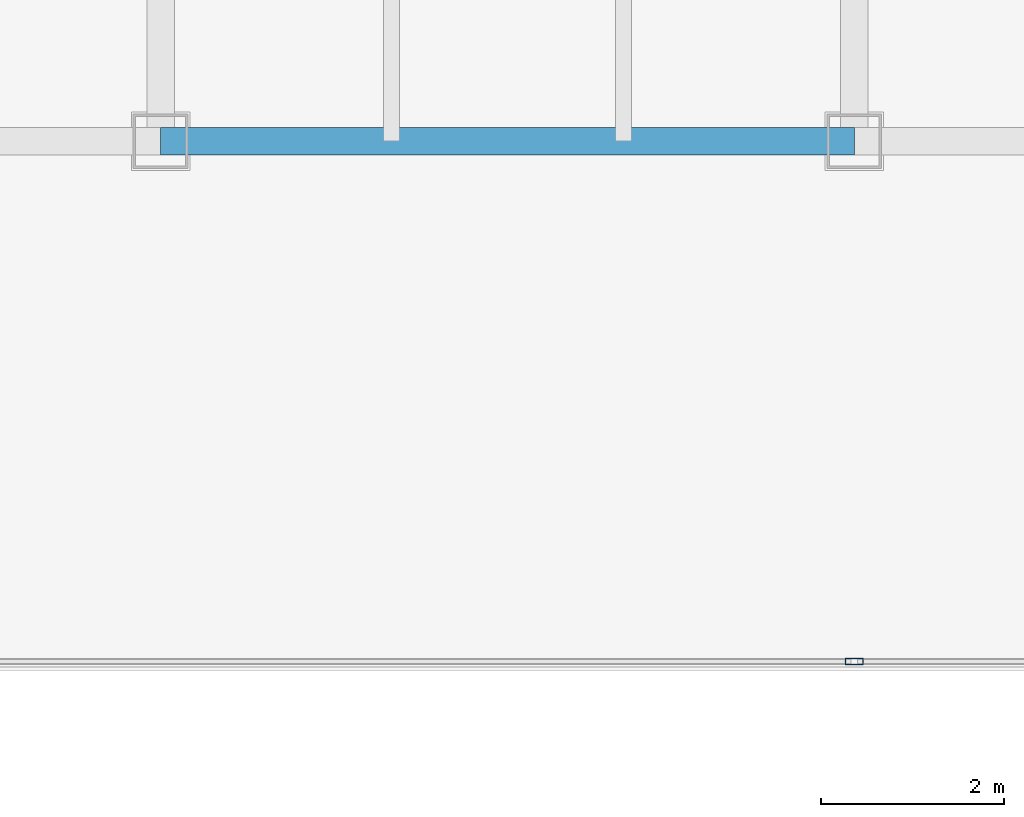
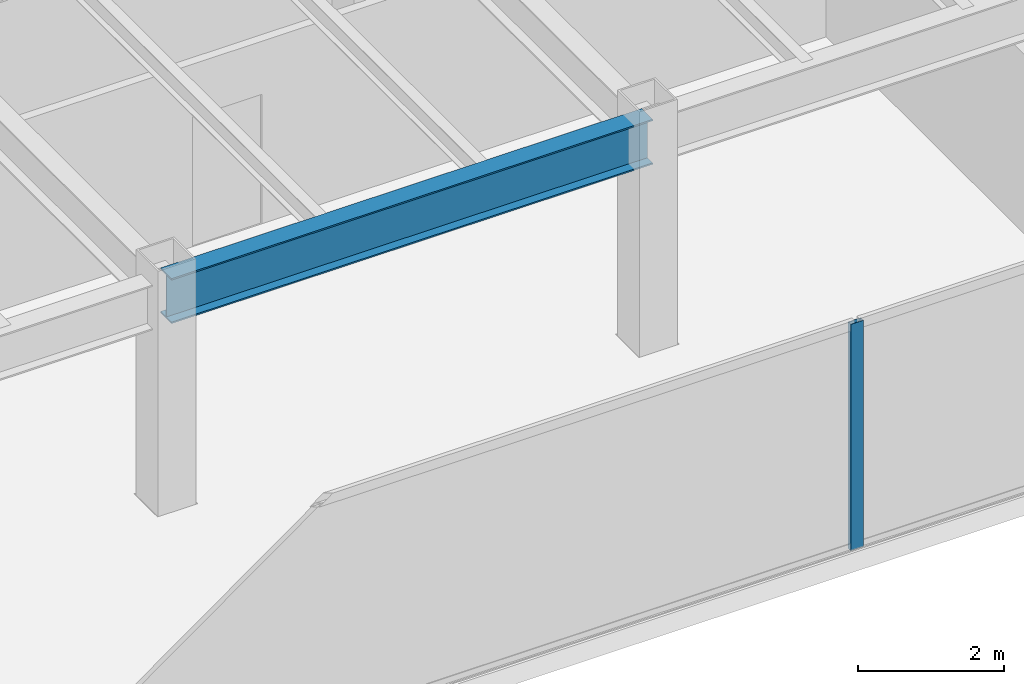
# One storey, part 8 of 36: 1 beam, 1 member, 1 element without a shape of its own.
"""IFC4 building model written with IfcOpenShell, lengths in metres."""

from ifc_helpers import new_model, si_unit, direction, frame, origin, origin_2d, place, context, subcontext, project, spatial, hollow_rectangle, i_section, extrude, source, transform, mapped, material, layer, layer_set, material_profile, profile_set, type_object, type_shapes, element, aggregate, save


model = new_model("IFC4")

# Units and contexts
model_context = context("Model", 3, precision=1e-05, world=origin(), true_north=direction((0.0, 1.0)))
body_context = subcontext(model_context, "Body", "Model", "MODEL_VIEW")
ifc_project = project(units=[si_unit("LENGTHUNIT", "METRE"), si_unit("AREAUNIT", "SQUARE_METRE"), si_unit("VOLUMEUNIT", "CUBIC_METRE"), si_unit("PLANEANGLEUNIT", "RADIAN"), si_unit("MASSUNIT", "GRAM", prefix="KILO")], contexts=[model_context])

# Site, building, storey
site_placement = place(None, origin())
site = spatial("IfcSite", under=ifc_project, at=site_placement, CompositionType="ELEMENT")
building_placement = place(site_placement, origin())
building = spatial("IfcBuilding", under=site, at=building_placement, Name="Haelvirn Gate Laboratories", CompositionType="ELEMENT")
storey_placement = place(building_placement, frame((0.0, 0.0, 49.800048828125)))
storey = spatial("IfcBuildingStorey", under=building, at=storey_placement, Name="L12", CompositionType="ELEMENT", Elevation=49.800048828125)

# Beam
ifc_material_1 = material(Name="Steel SM355", Category="steel")
ifc_material_profile_1 = material_profile(ifc_material_1, i_section(OverallWidth=0.300048828125, OverallDepth=0.75, WebThickness=0.013916015625, FlangeThickness=0.02392578125, at=origin_2d()), Name="H-750x300x14x24")
ifc_profile_set_1 = profile_set([ifc_material_profile_1], Name="Steel SM355")
beam_type = type_object("IfcBeamType", Name="BM-G-750", PredefinedType="BEAM", material=ifc_profile_set_1)
shared_shape_1 = source(origin(), body_context, "Body", "SweptSolid", [
    extrude(i_section(OverallWidth=0.300048828125, OverallDepth=0.75, WebThickness=0.013916015625, FlangeThickness=0.02392578125, at=origin_2d()), origin(), (0.0, 0.0, 1.0), 7.599853515625),
])
type_shapes(beam_type, [shared_shape_1])
beam_placement = place(storey_placement, frame((29.800048828125, 7.0, 3.405029296875), z_axis=(1.0, 0.0, 0.0), x_axis=(0.0, 1.0, 0.0)))
element("IfcBeam", 1, at=beam_placement, inside=storey, type_object=beam_type, Name="L12 Primary Girder Y7.0 (29.8-37.4)", PredefinedType="BEAM", context=body_context, shape_type="MappedRepresentation", body=[
    mapped(shared_shape_1, transform((0.0, 0.0, 0.0), scale=1.0)),
])

# Curtain wall, member
ifc_material_2 = material(Name="Anodised bronze unitised aluminium & triple low-E glass", Category="aluminium")
ifc_layer = layer(ifc_material_2, 0.18408203125, Name="CW-SYS-2")
ifc_layer_set = layer_set([ifc_layer], Name="Anodised bronze unitised aluminium & triple low-E glass")
curtain_wall_type = type_object("IfcCurtainWallType", Name="CW-SYS-2", PredefinedType="NOTDEFINED", material=ifc_layer_set)
curtain_wall_placement = place(storey_placement, origin())
curtain_wall = element("IfcCurtainWall", 2, at=curtain_wall_placement, inside=storey, type_object=curtain_wall_type, Name="L12 Unitised Curtain Wall CW-L12-P0-E02-1", PredefinedType="NOTDEFINED")
ifc_material_3 = material(Name="Extruded aluminium 6063-T6 (anodised bronze)", Category="aluminium")
ifc_material_profile_2 = material_profile(ifc_material_3, hollow_rectangle(XDim=0.074951171875, YDim=0.199951171875, WallThickness=0.0048828125, at=origin_2d()), Name="CWM-200x75x5")
ifc_profile_set_2 = profile_set([ifc_material_profile_2], Name="Extruded aluminium 6063-T6 (anodised bronze)")
member_type = type_object("IfcMemberType", Name="CWM-T200", PredefinedType="MULLION", material=ifc_profile_set_2)
shared_shape_2 = source(origin(), body_context, "Body", "SweptSolid", [
    extrude(hollow_rectangle(XDim=0.074951171875, YDim=0.199951171875, WallThickness=0.0048828125, at=origin_2d()), origin(), (0.0, 0.0, 1.0), 3.780029296875),
])
type_shapes(member_type, [shared_shape_2])
member_placement = place(storey_placement, frame((37.39990234375, 1.300048828125, 0.0), z_axis=(0.0, 0.0, 1.0), x_axis=(0.0, 1.0, 0.0)))
member = element("IfcMember", 3, at=member_placement, type_object=member_type, Name="CW2 mullion 2", PredefinedType="MULLION", context=body_context, shape_type="MappedRepresentation", body=[
    mapped(shared_shape_2, transform((0.0, 0.0, 0.0), scale=1.0)),
])
aggregate(curtain_wall, [member])

save(model, "model.ifc")
